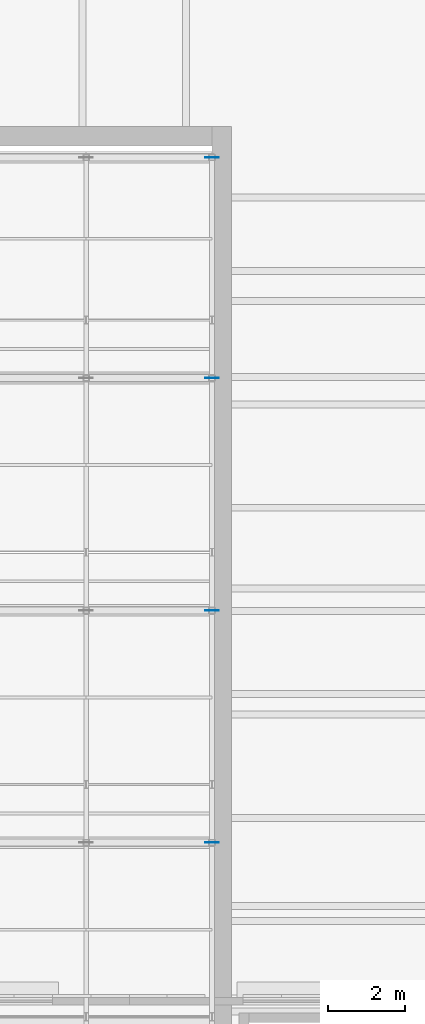
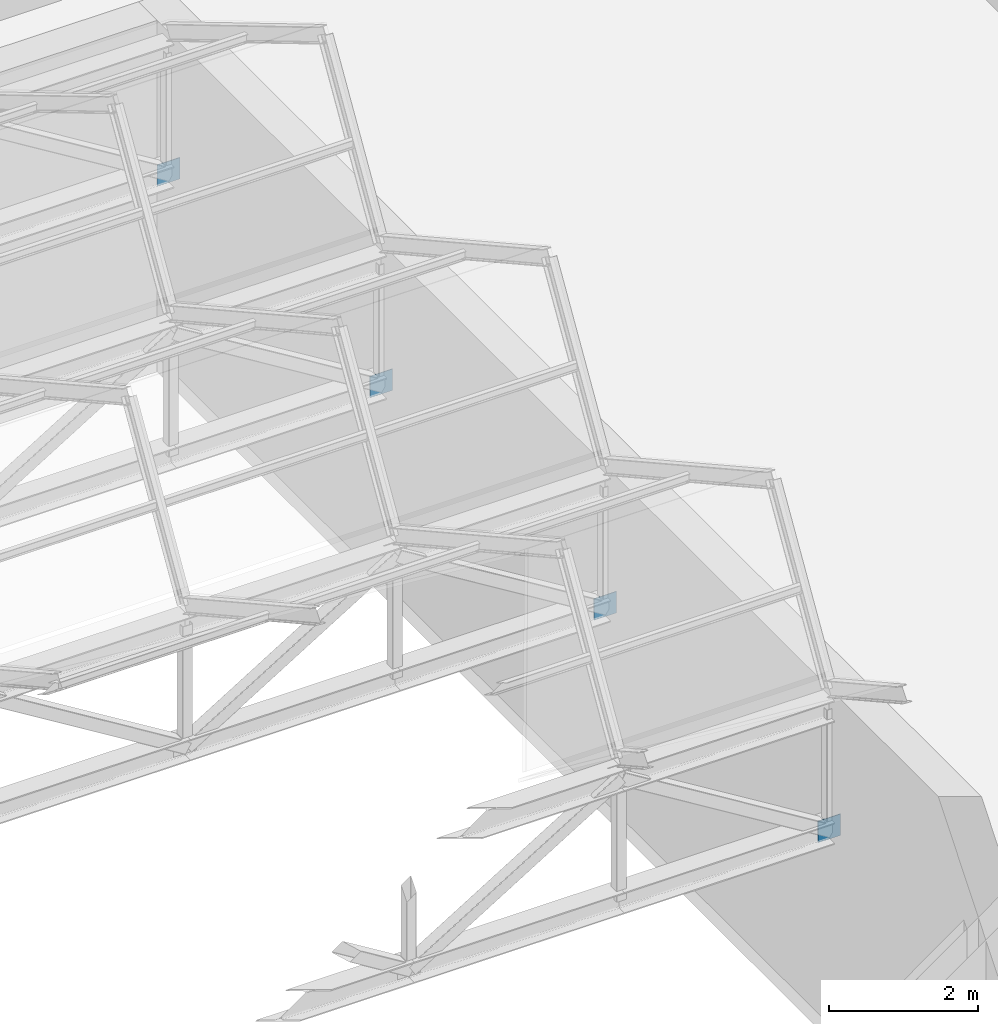
# One storey, part 101 of 132: 4 discrete accessories.
"""IFC4 building model written with IfcOpenShell, lengths in metres."""

from ifc_helpers import new_model, si_unit, direction, frame, origin, origin_2d, place, context, subcontext, project, spatial, rectangle, extrude, material, layer, layer_set, type_object, element, save


model = new_model("IFC4")

# Units and contexts
model_context = context("Model", 3, precision=1e-05, world=origin(), true_north=direction((0.0, 1.0)))
body_context = subcontext(model_context, "Body", "Model", "MODEL_VIEW")
ifc_project = project(units=[si_unit("LENGTHUNIT", "METRE"), si_unit("AREAUNIT", "SQUARE_METRE"), si_unit("VOLUMEUNIT", "CUBIC_METRE"), si_unit("PLANEANGLEUNIT", "RADIAN"), si_unit("MASSUNIT", "GRAM", prefix="KILO")], contexts=[model_context])

# Site, building, storey
site_placement = place(None, origin())
site = spatial("IfcSite", under=ifc_project, at=site_placement, CompositionType="ELEMENT")
building_placement = place(site_placement, origin())
building = spatial("IfcBuilding", under=site, at=building_placement, Name="Lunette Opera House", CompositionType="ELEMENT")
storey_placement = place(building_placement, frame((0.0, 0.0, 17.0)))
storey = spatial("IfcBuildingStorey", under=building, at=storey_placement, Name="L03", CompositionType="ELEMENT", Elevation=17.0)

# Discrete accessories
ifc_material = material(Name="Steel S355", Category="steel")
ifc_layer = layer(ifc_material, 0.011962890625)
ifc_layer_set = layer_set([ifc_layer], Name="Steel S355")
discrete_accessory_type = type_object("IfcDiscreteAccessoryType", Name="BRACE GUSSET PLATE 12", PredefinedType="USERDEFINED", material=ifc_layer_set)
for number, where, z_axis, x_axis, name in (
    (1, (170.0, 110.0, 3.030029296875), (0.0, 0.0, 1.0), (1.0, 0.0, 0.0), "Gusset plate 284"),
    (2, (170.0, 116.0, 3.030029296875), (0.0, 0.0, 1.0), (1.0, 0.0, 0.0), "Gusset plate 293"),
    (3, (170.0, 122.0, 3.030029296875), (0.0, 0.0, 1.0), (1.0, 0.0, 0.0), "Gusset plate 302"),
    (4, (170.0, 127.699951171875, 3.030029296875), (0.0, 0.0, 1.0), (1.0, 0.0, 0.0), "Gusset plate 311"),
):
    element("IfcDiscreteAccessory", number, at=place(storey_placement, frame(where, z_axis=z_axis, x_axis=x_axis)), inside=storey, type_object=discrete_accessory_type, Name=name, ObjectType="GUSSET PLATE", PredefinedType="USERDEFINED", context=body_context, shape_type="SweptSolid", body=[
        extrude(rectangle(XDim=0.35009765625, YDim=0.011962890625, at=origin_2d()), origin(), (0.0, 0.0, 1.0), 0.35009765625),
    ])

save(model, "model.ifc")
